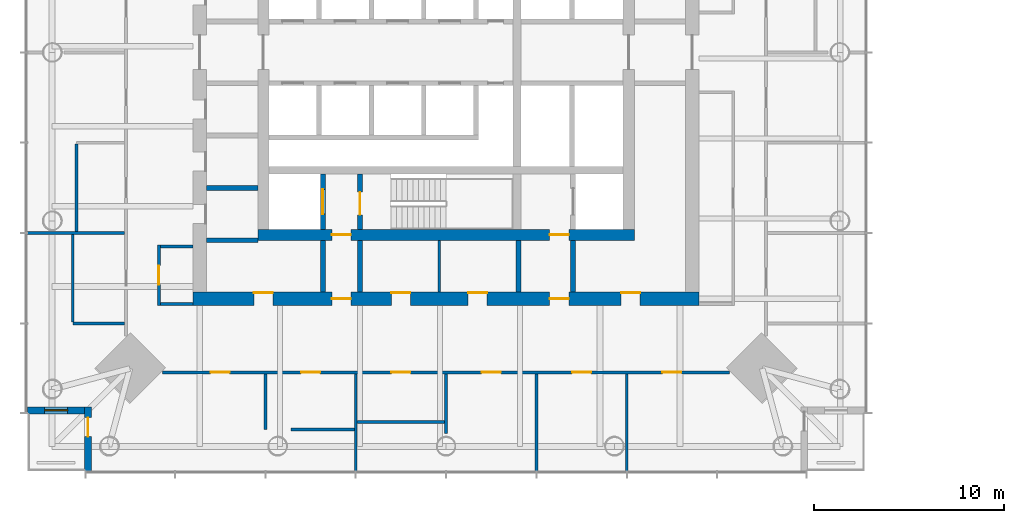
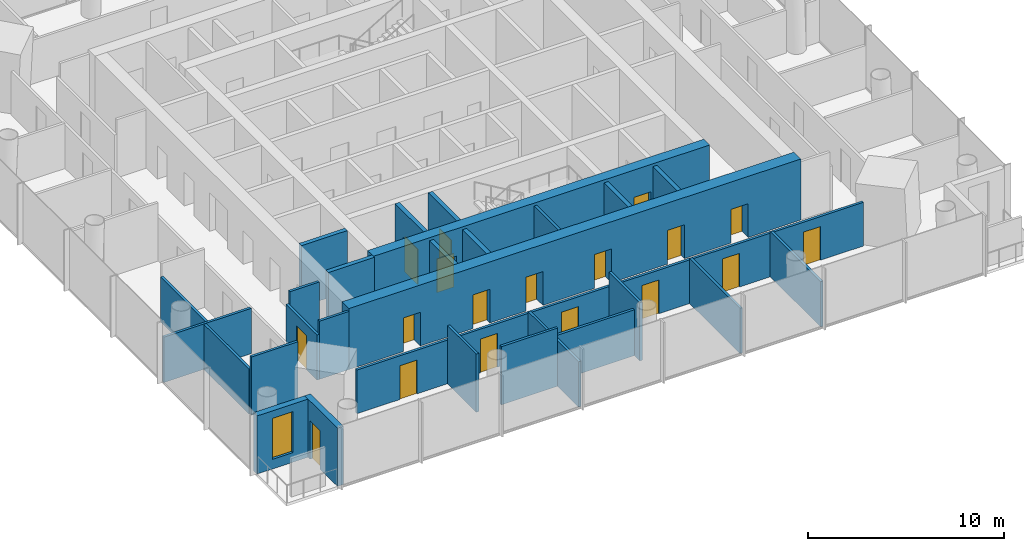
# One storey, part 8 of 18: 28 walls, 18 doors, 1 window, 19 openings.
"""IFC4 building model written with IfcOpenShell, lengths in metres."""

from ifc_helpers import new_model, si_unit, direction, frame, frame_2d, origin, place, context, subcontext, project, spatial, rectangle, extrude, material, layer, layer_set, type_object, element, fill, save


model = new_model("IFC4")

# Units and contexts
model_context = context("Model", 3, precision=1e-05, world=origin(), true_north=direction((0.0, 1.0)))
body_context = subcontext(model_context, "Body", "Model", "MODEL_VIEW")
ifc_project = project(units=[si_unit("LENGTHUNIT", "METRE"), si_unit("AREAUNIT", "SQUARE_METRE"), si_unit("VOLUMEUNIT", "CUBIC_METRE"), si_unit("PLANEANGLEUNIT", "RADIAN"), si_unit("MASSUNIT", "GRAM", prefix="KILO")], contexts=[model_context])

# Site, building, storey
site_placement = place(None, origin())
site = spatial("IfcSite", under=ifc_project, at=site_placement, CompositionType="ELEMENT")
building_placement = place(site_placement, origin())
building = spatial("IfcBuilding", under=site, at=building_placement, Name="Ostroluk Exchange", CompositionType="ELEMENT")
storey_placement = place(building_placement, frame((0.0, 0.0, 123.60009765625)))
storey = spatial("IfcBuildingStorey", under=building, at=storey_placement, Name="L31", CompositionType="ELEMENT", Elevation=123.60009765625)

# Walls
ifc_material_1 = material(Name="Concrete blockwork", Category="masonry")
ifc_layer_1 = layer(ifc_material_1, 0.14990234375)
ifc_layer_set_1 = layer_set([ifc_layer_1], Name="Blockwork plant room wall 150")
wall_type_1 = type_object("IfcWallType", Name="Blockwork plant room wall 150", PredefinedType="SOLIDWALL", material=ifc_layer_set_1)
wall_1_placement = place(storey_placement, frame((44.639892578125, 33.39990234375, 0.0), z_axis=(0.0, 0.0, 1.0), x_axis=(0.0, 1.0, 0.0)))
element("IfcWall", 1, at=wall_1_placement, inside=storey, type_object=wall_type_1, Name="Core room wall", PredefinedType="SOLIDWALL", context=body_context, shape_type="SweptSolid", body=[
    extrude(rectangle(XDim=2.7001953125, YDim=0.14990234375, at=frame_2d((1.35009765625, 0.0))), origin(), (0.0, 0.0, 1.0), 3.619873046875),
])
ifc_material_2 = material(Name="Concrete blockwork", Category="masonry")
ifc_layer_2 = layer(ifc_material_2, 0.25)
ifc_layer_set_2 = layer_set([ifc_layer_2], Name="Blockwork stair enclosure wall 250")
wall_type_2 = type_object("IfcWallType", Name="Blockwork stair enclosure wall 250", PredefinedType="SOLIDWALL", material=ifc_layer_set_2)
for number, where, z_axis, x_axis, name in (
    (2, (38.52490234375, 33.39990234375, 0.0), (0.0, 0.0, 1.0), (0.0, 1.0, 0.0), "Fire lobby enclosure wall"),
    (3, (40.47509765625, 33.39990234375, 0.0), (0.0, 0.0, 1.0), (0.0, 1.0, 0.0), "Fire lobby enclosure wall"),
    (4, (48.804931640625, 33.39990234375, 0.0), (0.0, 0.0, 1.0), (0.0, 1.0, 0.0), "Service lobby enclosure wall"),
    (5, (51.675048828125, 33.39990234375, 0.0), (0.0, 0.0, 1.0), (0.0, 1.0, 0.0), "Service lobby enclosure wall"),
):
    element("IfcWall", number, at=place(storey_placement, frame(where, z_axis=z_axis, x_axis=x_axis)), inside=storey, type_object=wall_type_2, Name=name, PredefinedType="SOLIDWALL", context=body_context, shape_type="SweptSolid", body=[
        extrude(rectangle(XDim=2.7001953125, YDim=0.25, at=frame_2d((1.35009765625, 0.0))), origin(), (0.0, 0.0, 1.0), 3.619873046875),
    ])

# Wall, opening, door
ifc_material_3 = material(Name="Concrete C40/50", Category="concrete")
ifc_layer_3 = layer(ifc_material_3, 0.25)
ifc_layer_set_3 = layer_set([ifc_layer_3], Name="Core shaft wall 250")
wall_type_3 = type_object("IfcWallType", Name="Core shaft wall 250", PredefinedType="SHEAR", material=ifc_layer_set_3)
wall_2_placement = place(storey_placement, frame((38.52490234375, 36.699951171875, 0.0), z_axis=(0.0, 0.0, 1.0), x_axis=(0.0, 1.0, 0.0)))
wall_2 = element("IfcWall", 6, at=wall_2_placement, inside=storey, type_object=wall_type_3, Name="Firefighting lift shaft wall", PredefinedType="SHEAR", context=body_context, shape_type="SweptSolid", body=[
    extrude(rectangle(XDim=2.900146484375, YDim=0.25, at=frame_2d((1.4501953125, 0.0))), origin(), (0.0, 0.0, 1.0), 3.7998046875),
])
opening_1_placement = place(wall_2_placement, frame((0.800048828125, 0.0, 0.0)))
opening_1 = element("IfcOpeningElement", 7, at=opening_1_placement, cuts=wall_2, Name="Opening LD2", PredefinedType="OPENING", context=body_context, shape_type="SweptSolid", body=[
    extrude(rectangle(XDim=1.300048828125, YDim=2.199951171875, at=frame_2d((0.64990234375, 1.10009765625))), frame((0.0, 0.135009765625, 0.0), z_axis=(0.0, -1.0, 0.0), x_axis=(1.0, 0.0, 0.0)), (0.0, 0.0, 1.0), 0.27001953125),
])
ifc_material_4 = material(Name="Stainless steel", Category="steel")
door_type_1 = type_object("IfcDoorType", Name="Lift landing door E 60 1300 x 2200", OperationType="DOUBLE_DOOR_SLIDING", PredefinedType="DOOR", material=ifc_material_4)
door_1_placement = place(opening_1_placement, origin())
door_1 = element("IfcDoor", 8, at=door_1_placement, inside=storey, type_object=door_type_1, Name="Lift FL1 landing door", OperationType="DOUBLE_DOOR_SLIDING", OverallHeight=2.199951171875, OverallWidth=1.300048828125, PredefinedType="DOOR", context=body_context, shape_type="SweptSolid", body=[
    extrude(rectangle(XDim=1.300048828125, YDim=2.199951171875, at=frame_2d((0.64990234375, 1.10009765625))), frame((0.0, 0.02490234375, 0.0), z_axis=(0.0, -1.0, 0.0), x_axis=(1.0, 0.0, 0.0)), (0.0, 0.0, 1.0), 0.050048828125),
])
fill(opening_1, door_1)

wall_3_placement = place(storey_placement, frame((40.47509765625, 36.699951171875, 0.0), z_axis=(0.0, 0.0, 1.0), x_axis=(0.0, 1.0, 0.0)))
wall_3 = element("IfcWall", 9, at=wall_3_placement, inside=storey, type_object=wall_type_3, Name="Stair shaft wall", PredefinedType="SHEAR", context=body_context, shape_type="SweptSolid", body=[
    extrude(rectangle(XDim=2.900146484375, YDim=0.25, at=frame_2d((1.4501953125, 0.0))), origin(), (0.0, 0.0, 1.0), 3.7998046875),
])
opening_2_placement = place(wall_3_placement, frame((0.75, 0.0, 0.0)))
opening_2 = element("IfcOpeningElement", 10, at=opening_2_placement, cuts=wall_3, Name="Opening FD60S", PredefinedType="OPENING", context=body_context, shape_type="SweptSolid", body=[
    extrude(rectangle(XDim=1.199951171875, YDim=2.10009765625, at=frame_2d((0.60009765625, 1.050048828125))), frame((0.0, 0.135009765625, 0.0), z_axis=(0.0, -1.0, 0.0), x_axis=(1.0, 0.0, 0.0)), (0.0, 0.0, 1.0), 0.27001953125),
])
ifc_material_5 = material(Name="Steel", Category="steel")
door_type_2 = type_object("IfcDoorType", Name="Stair door EI 60 1200 x 2100", OperationType="SINGLE_SWING_LEFT", PredefinedType="DOOR", material=ifc_material_5)
door_2_placement = place(opening_2_placement, origin())
door_2 = element("IfcDoor", 11, at=door_2_placement, inside=storey, type_object=door_type_2, Name="Stair T1-S1 door", OperationType="SINGLE_SWING_LEFT", OverallHeight=2.10009765625, OverallWidth=1.199951171875, PredefinedType="DOOR", context=body_context, shape_type="SweptSolid", body=[
    extrude(rectangle(XDim=1.199951171875, YDim=2.10009765625, at=frame_2d((0.60009765625, 1.050048828125))), frame((0.0, 0.02490234375, 0.0), z_axis=(0.0, -1.0, 0.0), x_axis=(1.0, 0.0, 0.0)), (0.0, 0.0, 1.0), 0.050048828125),
])
fill(opening_2, door_2)

# Walls
for number, where, z_axis, x_axis, name in (
    (12, (32.39990234375, 36.125, 0.0), (0.0, 0.0, 1.0), (1.0, 0.0, 0.0), "Lift shaft wall"),
    (13, (32.39990234375, 38.875, 0.0), (0.0, 0.0, 1.0), (1.0, 0.0, 0.0), "Lift shaft wall"),
):
    element("IfcWall", number, at=place(storey_placement, frame(where, z_axis=z_axis, x_axis=x_axis)), inside=storey, type_object=wall_type_3, Name=name, PredefinedType="SHEAR", context=body_context, shape_type="SweptSolid", body=[
        extrude(rectangle(XDim=2.7001953125, YDim=0.25, at=frame_2d((1.35009765625, 0.0))), origin(), (0.0, 0.0, 1.0), 3.7998046875),
    ])

# Wall, openings, doors
ifc_material_6 = material(Name="Concrete C50/60", Category="concrete")
ifc_layer_4 = layer(ifc_material_6, 0.60009765625)
ifc_layer_set_4 = layer_set([ifc_layer_4], Name="Core wall 600 C50/60")
wall_type_4 = type_object("IfcWallType", Name="Core wall 600 C50/60", PredefinedType="SHEAR", material=ifc_layer_set_4)
wall_4_placement = place(storey_placement, frame((35.10009765625, 36.39990234375, 0.0), z_axis=(0.0, 0.0, 1.0), x_axis=(1.0, 0.0, 0.0)))
wall_4 = element("IfcWall", 14, at=wall_4_placement, inside=storey, type_object=wall_type_4, Name="T1 core wall S", PredefinedType="SHEAR", context=body_context, shape_type="SweptSolid", body=[
    extrude(rectangle(XDim=19.7998046875, YDim=0.60009765625, at=frame_2d((9.89990234375, 0.0))), origin(), (0.0, 0.0, 1.0), 3.7998046875),
])
opening_3_placement = place(wall_4_placement, frame((3.89990234375, 0.0, 0.0)))
opening_3 = element("IfcOpeningElement", 15, at=opening_3_placement, cuts=wall_4, Name="Opening FD60", PredefinedType="OPENING", context=body_context, shape_type="SweptSolid", body=[
    extrude(rectangle(XDim=1.0, YDim=2.10009765625, at=frame_2d((0.5, 1.050048828125))), frame((0.0, 0.31005859375, 0.0), z_axis=(0.0, -1.0, 0.0), x_axis=(1.0, 0.0, 0.0)), (0.0, 0.0, 1.0), 0.6201171875),
])
opening_4_placement = place(wall_4_placement, frame((15.35009765625, 0.0, 0.0)))
opening_4 = element("IfcOpeningElement", 16, at=opening_4_placement, cuts=wall_4, Name="Opening FD60", PredefinedType="OPENING", context=body_context, shape_type="SweptSolid", body=[
    extrude(rectangle(XDim=1.0, YDim=2.10009765625, at=frame_2d((0.5, 1.050048828125))), frame((0.0, 0.31005859375, 0.0), z_axis=(0.0, -1.0, 0.0), x_axis=(1.0, 0.0, 0.0)), (0.0, 0.0, 1.0), 0.6201171875),
])
ifc_material_7 = material(Name="Steel", Category="steel")
door_type_3 = type_object("IfcDoorType", Name="Fire door EI 60 1000 x 2100", OperationType="SINGLE_SWING_LEFT", PredefinedType="DOOR", material=ifc_material_7)
door_3_placement = place(opening_3_placement, origin())
door_3 = element("IfcDoor", 17, at=door_3_placement, inside=storey, type_object=door_type_3, Name="Firefighting lobby door", OperationType="SINGLE_SWING_LEFT", OverallHeight=2.10009765625, OverallWidth=1.0, PredefinedType="DOOR", context=body_context, shape_type="SweptSolid", body=[
    extrude(rectangle(XDim=1.0, YDim=2.10009765625, at=frame_2d((0.5, 1.050048828125))), frame((0.0, 0.02490234375, 0.0), z_axis=(0.0, -1.0, 0.0), x_axis=(1.0, 0.0, 0.0)), (0.0, 0.0, 1.0), 0.050048828125),
])
fill(opening_3, door_3)
door_4_placement = place(opening_4_placement, origin())
door_4 = element("IfcDoor", 18, at=door_4_placement, inside=storey, type_object=door_type_3, Name="Service lobby door", OperationType="SINGLE_SWING_RIGHT", OverallHeight=2.10009765625, OverallWidth=1.0, PredefinedType="DOOR", context=body_context, shape_type="SweptSolid", body=[
    extrude(rectangle(XDim=1.0, YDim=2.10009765625, at=frame_2d((0.5, 1.050048828125))), frame((0.0, 0.02490234375, 0.0), z_axis=(0.0, -1.0, 0.0), x_axis=(1.0, 0.0, 0.0)), (0.0, 0.0, 1.0), 0.050048828125),
])
fill(opening_4, door_4)

ifc_material_8 = material(Name="Concrete C50/60", Category="concrete")
ifc_layer_5 = layer(ifc_material_8, 0.699951171875)
ifc_layer_set_5 = layer_set([ifc_layer_5], Name="Core wall 700 C50/60")
wall_type_5 = type_object("IfcWallType", Name="Core wall 700 C50/60", PredefinedType="SHEAR", material=ifc_layer_set_5)
wall_5_placement = place(storey_placement, frame((31.699951171875, 33.050048828125, 0.0), z_axis=(0.0, 0.0, 1.0), x_axis=(1.0, 0.0, 0.0)))
wall_5 = element("IfcWall", 19, at=wall_5_placement, inside=storey, type_object=wall_type_5, Name="T1 core wall RS", PredefinedType="SHEAR", context=body_context, shape_type="SweptSolid", body=[
    extrude(rectangle(XDim=26.60009765625, YDim=0.699951171875, at=frame_2d((13.300048828125, 0.0))), origin(), (0.0, 0.0, 1.0), 3.7998046875),
])
opening_5_placement = place(wall_5_placement, frame((7.300048828125, 0.0, 0.0)))
opening_5 = element("IfcOpeningElement", 20, at=opening_5_placement, cuts=wall_5, Name="Opening FD60", PredefinedType="OPENING", context=body_context, shape_type="SweptSolid", body=[
    extrude(rectangle(XDim=1.0, YDim=2.10009765625, at=frame_2d((0.5, 1.050048828125))), frame((0.0, 0.35986328125, 0.0), z_axis=(0.0, -1.0, 0.0), x_axis=(1.0, 0.0, 0.0)), (0.0, 0.0, 1.0), 0.719970703125),
])
opening_6_placement = place(wall_5_placement, frame((18.75, 0.0, 0.0)))
opening_6 = element("IfcOpeningElement", 21, at=opening_6_placement, cuts=wall_5, Name="Opening FD60", PredefinedType="OPENING", context=body_context, shape_type="SweptSolid", body=[
    extrude(rectangle(XDim=1.0, YDim=2.10009765625, at=frame_2d((0.5, 1.050048828125))), frame((0.0, 0.35986328125, 0.0), z_axis=(0.0, -1.0, 0.0), x_axis=(1.0, 0.0, 0.0)), (0.0, 0.0, 1.0), 0.719970703125),
])
opening_7_placement = place(wall_5_placement, frame((3.199951171875, 0.0, 0.0)))
opening_7 = element("IfcOpeningElement", 22, at=opening_7_placement, cuts=wall_5, Name="Opening FD60", PredefinedType="OPENING", context=body_context, shape_type="SweptSolid", body=[
    extrude(rectangle(XDim=1.0, YDim=2.10009765625, at=frame_2d((0.5, 1.050048828125))), frame((0.0, 0.35986328125, 0.0), z_axis=(0.0, -1.0, 0.0), x_axis=(1.0, 0.0, 0.0)), (0.0, 0.0, 1.0), 0.719970703125),
])
opening_8_placement = place(wall_5_placement, frame((10.419921875, 0.0, 0.0)))
opening_8 = element("IfcOpeningElement", 23, at=opening_8_placement, cuts=wall_5, Name="Opening FD60", PredefinedType="OPENING", context=body_context, shape_type="SweptSolid", body=[
    extrude(rectangle(XDim=1.0, YDim=2.10009765625, at=frame_2d((0.5, 1.050048828125))), frame((0.0, 0.35986328125, 0.0), z_axis=(0.0, -1.0, 0.0), x_axis=(1.0, 0.0, 0.0)), (0.0, 0.0, 1.0), 0.719970703125),
])
opening_9_placement = place(wall_5_placement, frame((14.4599609375, 0.0, 0.0)))
opening_9 = element("IfcOpeningElement", 24, at=opening_9_placement, cuts=wall_5, Name="Opening FD60", PredefinedType="OPENING", context=body_context, shape_type="SweptSolid", body=[
    extrude(rectangle(XDim=1.0, YDim=2.10009765625, at=frame_2d((0.5, 1.050048828125))), frame((0.0, 0.35986328125, 0.0), z_axis=(0.0, -1.0, 0.0), x_axis=(1.0, 0.0, 0.0)), (0.0, 0.0, 1.0), 0.719970703125),
])
opening_10_placement = place(wall_5_placement, frame((22.5, 0.0, 0.0)))
opening_10 = element("IfcOpeningElement", 25, at=opening_10_placement, cuts=wall_5, Name="Opening FD60", PredefinedType="OPENING", context=body_context, shape_type="SweptSolid", body=[
    extrude(rectangle(XDim=1.0, YDim=2.10009765625, at=frame_2d((0.5, 1.050048828125))), frame((0.0, 0.35986328125, 0.0), z_axis=(0.0, -1.0, 0.0), x_axis=(1.0, 0.0, 0.0)), (0.0, 0.0, 1.0), 0.719970703125),
])
door_5_placement = place(opening_5_placement, origin())
door_5 = element("IfcDoor", 26, at=door_5_placement, inside=storey, type_object=door_type_3, Name="Firefighting lobby door", OperationType="SINGLE_SWING_LEFT", OverallHeight=2.10009765625, OverallWidth=1.0, PredefinedType="DOOR", context=body_context, shape_type="SweptSolid", body=[
    extrude(rectangle(XDim=1.0, YDim=2.10009765625, at=frame_2d((0.5, 1.050048828125))), frame((0.0, 0.02490234375, 0.0), z_axis=(0.0, -1.0, 0.0), x_axis=(1.0, 0.0, 0.0)), (0.0, 0.0, 1.0), 0.050048828125),
])
fill(opening_5, door_5)
door_6_placement = place(opening_6_placement, origin())
door_6 = element("IfcDoor", 27, at=door_6_placement, inside=storey, type_object=door_type_3, Name="Service lobby door", OperationType="SINGLE_SWING_RIGHT", OverallHeight=2.10009765625, OverallWidth=1.0, PredefinedType="DOOR", context=body_context, shape_type="SweptSolid", body=[
    extrude(rectangle(XDim=1.0, YDim=2.10009765625, at=frame_2d((0.5, 1.050048828125))), frame((0.0, 0.02490234375, 0.0), z_axis=(0.0, -1.0, 0.0), x_axis=(1.0, 0.0, 0.0)), (0.0, 0.0, 1.0), 0.050048828125),
])
fill(opening_6, door_6)
door_7_placement = place(opening_7_placement, origin())
door_7 = element("IfcDoor", 28, at=door_7_placement, inside=storey, type_object=door_type_3, Name="Archive door", OperationType="SINGLE_SWING_LEFT", OverallHeight=2.10009765625, OverallWidth=1.0, PredefinedType="DOOR", context=body_context, shape_type="SweptSolid", body=[
    extrude(rectangle(XDim=1.0, YDim=2.10009765625, at=frame_2d((0.5, 1.050048828125))), frame((0.0, 0.33984375, 0.0), z_axis=(0.0, -1.0, 0.0), x_axis=(1.0, 0.0, 0.0)), (0.0, 0.0, 1.0), 0.050048828125),
])
fill(opening_7, door_7)
door_8_placement = place(opening_8_placement, origin())
door_8 = element("IfcDoor", 29, at=door_8_placement, inside=storey, type_object=door_type_3, Name="Tea point door", OperationType="SINGLE_SWING_LEFT", OverallHeight=2.10009765625, OverallWidth=1.0, PredefinedType="DOOR", context=body_context, shape_type="SweptSolid", body=[
    extrude(rectangle(XDim=1.0, YDim=2.10009765625, at=frame_2d((0.5, 1.050048828125))), frame((0.0, 0.33984375, 0.0), z_axis=(0.0, -1.0, 0.0), x_axis=(1.0, 0.0, 0.0)), (0.0, 0.0, 1.0), 0.050048828125),
])
fill(opening_8, door_8)
door_9_placement = place(opening_9_placement, origin())
door_9 = element("IfcDoor", 30, at=door_9_placement, inside=storey, type_object=door_type_3, Name="Print and post room door", OperationType="SINGLE_SWING_RIGHT", OverallHeight=2.10009765625, OverallWidth=1.0, PredefinedType="DOOR", context=body_context, shape_type="SweptSolid", body=[
    extrude(rectangle(XDim=1.0, YDim=2.10009765625, at=frame_2d((0.5, 1.050048828125))), frame((0.0, 0.33984375, 0.0), z_axis=(0.0, -1.0, 0.0), x_axis=(1.0, 0.0, 0.0)), (0.0, 0.0, 1.0), 0.050048828125),
])
fill(opening_9, door_9)
door_10_placement = place(opening_10_placement, origin())
door_10 = element("IfcDoor", 31, at=door_10_placement, inside=storey, type_object=door_type_3, Name="Tenant IT room door", OperationType="SINGLE_SWING_RIGHT", OverallHeight=2.10009765625, OverallWidth=1.0, PredefinedType="DOOR", context=body_context, shape_type="SweptSolid", body=[
    extrude(rectangle(XDim=1.0, YDim=2.10009765625, at=frame_2d((0.5, 1.050048828125))), frame((0.0, 0.33984375, 0.0), z_axis=(0.0, -1.0, 0.0), x_axis=(1.0, 0.0, 0.0)), (0.0, 0.0, 1.0), 0.050048828125),
])
fill(opening_10, door_10)

# Wall, opening, door
ifc_material_9 = material(Name="Limestone", Category="masonry")
ifc_layer_6 = layer(ifc_material_9, 0.35009765625)
ifc_layer_set_6 = layer_set([ifc_layer_6], Name="Limestone facade wall 350")
wall_type_6 = type_object("IfcWallType", Name="Limestone facade wall 350", PredefinedType="SOLIDWALL", material=ifc_layer_set_6)
wall_6_placement = place(storey_placement, frame((26.175048828125, 24.0, 0.0), z_axis=(0.0, 0.0, 1.0), x_axis=(0.0, 1.0, 0.0)))
wall_6 = element("IfcWall", 32, at=wall_6_placement, inside=storey, type_object=wall_type_6, Name="Office tower SW corner wall L31 a", PredefinedType="SOLIDWALL", context=body_context, shape_type="SweptSolid", body=[
    extrude(rectangle(XDim=3.35009765625, YDim=0.35009765625, at=frame_2d((1.675048828125, 0.0))), origin(), (0.0, 0.0, 1.0), 3.619873046875),
])
opening_11_placement = place(wall_6_placement, frame((1.800048828125, 0.0, 0.0)))
opening_11 = element("IfcOpeningElement", 33, at=opening_11_placement, cuts=wall_6, Name="Opening D-B1", PredefinedType="OPENING", context=body_context, shape_type="SweptSolid", body=[
    extrude(rectangle(XDim=1.0, YDim=2.39990234375, at=frame_2d((0.5, 1.199951171875))), frame((0.0, 0.18505859375, 0.0), z_axis=(0.0, -1.0, 0.0), x_axis=(1.0, 0.0, 0.0)), (0.0, 0.0, 1.0), 0.3701171875),
])
ifc_material_10 = material(Name="Bronze framed glazed door", Category="aluminium")
door_type_4 = type_object("IfcDoorType", Name="Balcony door 1000 x 2400", OperationType="SINGLE_SWING_LEFT", PredefinedType="DOOR", material=ifc_material_10)
door_11_placement = place(opening_11_placement, origin())
door_11 = element("IfcDoor", 34, at=door_11_placement, inside=storey, type_object=door_type_4, Name="Office tower SW balcony door L31", OperationType="SINGLE_SWING_RIGHT", OverallHeight=2.39990234375, OverallWidth=1.0, PredefinedType="DOOR", context=body_context, shape_type="SweptSolid", body=[
    extrude(rectangle(XDim=1.0, YDim=2.39990234375, at=frame_2d((0.5, 1.199951171875))), frame((0.0, 0.02490234375, 0.0), z_axis=(0.0, -1.0, 0.0), x_axis=(1.0, 0.0, 0.0)), (0.0, 0.0, 1.0), 0.050048828125),
])
fill(opening_11, door_11)

# Wall, opening, window
wall_7_placement = place(storey_placement, frame((26.0, 27.175048828125, 0.0), z_axis=(0.0, 0.0, 1.0), x_axis=(-1.0, 0.0, 0.0)))
wall_7 = element("IfcWall", 35, at=wall_7_placement, inside=storey, type_object=wall_type_6, Name="Office tower SW corner wall L31 b", PredefinedType="SOLIDWALL", context=body_context, shape_type="SweptSolid", body=[
    extrude(rectangle(XDim=3.0, YDim=0.35009765625, at=frame_2d((1.5, 0.0))), origin(), (0.0, 0.0, 1.0), 3.619873046875),
])
opening_12_placement = place(wall_7_placement, frame((0.89990234375, 0.0, 0.60009765625)))
opening_12 = element("IfcOpeningElement", 36, at=opening_12_placement, cuts=wall_7, Name="Opening WN-L1", PredefinedType="OPENING", context=body_context, shape_type="SweptSolid", body=[
    extrude(rectangle(XDim=1.199951171875, YDim=2.550048828125, at=frame_2d((0.60009765625, 1.27490234375))), frame((0.0, 0.18505859375, 0.0), z_axis=(0.0, -1.0, 0.0), x_axis=(1.0, 0.0, 0.0)), (0.0, 0.0, 1.0), 0.3701171875),
])
ifc_material_11 = material(Name="Laminated clear glass", Category="glass")
window_type = type_object("IfcWindowType", Name="Lancet window 1200 x 2550", PartitioningType="SINGLE_PANEL", PredefinedType="WINDOW", material=ifc_material_11)
window_placement = place(opening_12_placement, origin())
window = element("IfcWindow", 37, at=window_placement, inside=storey, type_object=window_type, Name="Office tower SW lancet window L31", OverallHeight=2.550048828125, OverallWidth=1.199951171875, PartitioningType="SINGLE_PANEL", PredefinedType="WINDOW", context=body_context, shape_type="SweptSolid", body=[
    extrude(rectangle(XDim=1.199951171875, YDim=2.550048828125, at=frame_2d((0.60009765625, 1.27490234375))), frame((0.0, 0.030029296875, 0.0), z_axis=(0.0, -1.0, 0.0), x_axis=(1.0, 0.0, 0.0)), (0.0, 0.0, 1.0), 0.06005859375),
])
fill(opening_12, window)

# Wall, opening, door
ifc_material_12 = material(Name="Gypsum plasterboard partition", Category="gypsum")
ifc_layer_7 = layer(ifc_material_12, 0.14990234375)
ifc_layer_set_7 = layer_set([ifc_layer_7], Name="Plasterboard partition 150")
wall_type_7 = type_object("IfcWallType", Name="Plasterboard partition 150", PredefinedType="PARTITIONING", material=ifc_layer_set_7)
wall_8_placement = place(storey_placement, frame((29.89990234375, 35.875, 0.0), z_axis=(0.0, 0.0, 1.0), x_axis=(0.0, -1.0, 0.0)))
wall_8 = element("IfcWall", 38, at=wall_8_placement, inside=storey, type_object=wall_type_7, Name="Partition", PredefinedType="PARTITIONING", context=body_context, shape_type="SweptSolid", body=[
    extrude(rectangle(XDim=3.175048828125, YDim=0.14990234375, at=frame_2d((1.58740234375, 0.0))), origin(), (0.0, 0.0, 1.0), 2.805908203125),
])
opening_13_placement = place(wall_8_placement, frame((1.08740234375, 0.0, 0.0)))
opening_13 = element("IfcOpeningElement", 39, at=opening_13_placement, cuts=wall_8, Name="Opening D-03", PredefinedType="OPENING", context=body_context, shape_type="SweptSolid", body=[
    extrude(rectangle(XDim=1.0, YDim=2.10009765625, at=frame_2d((0.5, 1.050048828125))), frame((0.0, 0.0849609375, 0.0), z_axis=(0.0, -1.0, 0.0), x_axis=(1.0, 0.0, 0.0)), (0.0, 0.0, 1.0), 0.169921875),
])
ifc_material_13 = material(Name="Timber", Category="wood")
door_type_5 = type_object("IfcDoorType", Name="Internal door 1000 x 2100", OperationType="SINGLE_SWING_LEFT", PredefinedType="DOOR", material=ifc_material_13)
door_12_placement = place(opening_13_placement, origin())
door_12 = element("IfcDoor", 40, at=door_12_placement, inside=storey, type_object=door_type_5, Name="Meeting room door", OperationType="SINGLE_SWING_RIGHT", OverallHeight=2.10009765625, OverallWidth=1.0, PredefinedType="DOOR", context=body_context, shape_type="SweptSolid", body=[
    extrude(rectangle(XDim=1.0, YDim=2.10009765625, at=frame_2d((0.5, 1.050048828125))), frame((0.0, 0.02490234375, 0.0), z_axis=(0.0, -1.0, 0.0), x_axis=(1.0, 0.0, 0.0)), (0.0, 0.0, 1.0), 0.050048828125),
])
fill(opening_13, door_12)

# Walls
for number, where, z_axis, x_axis, name in (
    (41, (31.699951171875, 35.800048828125, 0.0), (0.0, 0.0, 1.0), (-1.0, 0.0, 0.0), "Partition"),
    (42, (31.699951171875, 32.77490234375, 0.0), (0.0, 0.0, 1.0), (-1.0, 0.0, 0.0), "Partition"),
):
    element("IfcWall", number, at=place(storey_placement, frame(where, z_axis=z_axis, x_axis=x_axis)), inside=storey, type_object=wall_type_7, Name=name, PredefinedType="PARTITIONING", context=body_context, shape_type="SweptSolid", body=[
        extrude(rectangle(XDim=1.724853515625, YDim=0.14990234375, at=frame_2d((0.8623046875, 0.0))), origin(), (0.0, 0.0, 1.0), 3.619873046875),
    ])
wall_9_placement = place(storey_placement, frame((28.10009765625, 36.5, 0.0), z_axis=(0.0, 0.0, 1.0), x_axis=(-1.0, 0.0, 0.0)))
element("IfcWall", 43, at=wall_9_placement, inside=storey, type_object=wall_type_7, Name="Partition", PredefinedType="PARTITIONING", context=body_context, shape_type="SweptSolid", body=[
    extrude(rectangle(XDim=5.14013671875, YDim=0.14990234375, at=frame_2d((2.570068359375, 0.0))), origin(), (0.0, 0.0, 1.0), 2.81982421875),
])
wall_10_placement = place(storey_placement, frame((28.10009765625, 31.75, 0.0), z_axis=(0.0, 0.0, 1.0), x_axis=(-1.0, 0.0, 0.0)))
element("IfcWall", 44, at=wall_10_placement, inside=storey, type_object=wall_type_7, Name="Partition", PredefinedType="PARTITIONING", context=body_context, shape_type="SweptSolid", body=[
    extrude(rectangle(XDim=2.72509765625, YDim=0.14990234375, at=frame_2d((1.362548828125, 0.0))), origin(), (0.0, 0.0, 1.0), 3.619873046875),
])
wall_11_placement = place(storey_placement, frame((36.85888671875, 26.175048828125, 0.0), z_axis=(0.0, 0.0, 1.0), x_axis=(1.0, 0.0, 0.0)))
element("IfcWall", 45, at=wall_11_placement, inside=storey, type_object=wall_type_7, Name="Partition", PredefinedType="PARTITIONING", context=body_context, shape_type="SweptSolid", body=[
    extrude(rectangle(XDim=3.316162109375, YDim=0.14990234375, at=frame_2d((1.658203125, 0.0))), origin(), (0.0, 0.0, 1.0), 3.619873046875),
])
wall_12_placement = place(storey_placement, frame((40.324951171875, 26.574951171875, 0.0), z_axis=(0.0, 0.0, 1.0), x_axis=(1.0, 0.0, 0.0)))
element("IfcWall", 46, at=wall_12_placement, inside=storey, type_object=wall_type_7, Name="Partition", PredefinedType="PARTITIONING", context=body_context, shape_type="SweptSolid", body=[
    extrude(rectangle(XDim=4.60009765625, YDim=0.14990234375, at=frame_2d((2.300048828125, 0.0))), origin(), (0.0, 0.0, 1.0), 2.85791015625),
])

# Wall, openings, doors
wall_13_placement = place(storey_placement, frame((30.08837890625, 29.175048828125, 0.0), z_axis=(0.0, 0.0, 1.0), x_axis=(1.0, 0.0, 0.0)))
wall_13 = element("IfcWall", 47, at=wall_13_placement, inside=storey, type_object=wall_type_7, Name="Partition", PredefinedType="PARTITIONING", context=body_context, shape_type="SweptSolid", body=[
    extrude(rectangle(XDim=29.8232421875, YDim=0.14990234375, at=frame_2d((14.91162109375, 0.0))), origin(), (0.0, 0.0, 1.0), 2.719970703125),
])
opening_14_placement = place(wall_13_placement, frame((2.53662109375, 0.0, 0.0)))
opening_14 = element("IfcOpeningElement", 48, at=opening_14_placement, cuts=wall_13, Name="Opening D-03", PredefinedType="OPENING", context=body_context, shape_type="SweptSolid", body=[
    extrude(rectangle(XDim=1.0, YDim=2.10009765625, at=frame_2d((0.5, 1.050048828125))), frame((0.0, 0.0849609375, 0.0), z_axis=(0.0, -1.0, 0.0), x_axis=(1.0, 0.0, 0.0)), (0.0, 0.0, 1.0), 0.169921875),
])
opening_15_placement = place(wall_13_placement, frame((7.28662109375, 0.0, 0.0)))
opening_15 = element("IfcOpeningElement", 49, at=opening_15_placement, cuts=wall_13, Name="Opening D-03", PredefinedType="OPENING", context=body_context, shape_type="SweptSolid", body=[
    extrude(rectangle(XDim=1.0, YDim=2.10009765625, at=frame_2d((0.5, 1.050048828125))), frame((0.0, 0.0849609375, 0.0), z_axis=(0.0, -1.0, 0.0), x_axis=(1.0, 0.0, 0.0)), (0.0, 0.0, 1.0), 0.169921875),
])
opening_16_placement = place(wall_13_placement, frame((12.03662109375, 0.0, 0.0)))
opening_16 = element("IfcOpeningElement", 50, at=opening_16_placement, cuts=wall_13, Name="Opening D-03", PredefinedType="OPENING", context=body_context, shape_type="SweptSolid", body=[
    extrude(rectangle(XDim=1.0, YDim=2.10009765625, at=frame_2d((0.5, 1.050048828125))), frame((0.0, 0.0849609375, 0.0), z_axis=(0.0, -1.0, 0.0), x_axis=(1.0, 0.0, 0.0)), (0.0, 0.0, 1.0), 0.169921875),
])
opening_17_placement = place(wall_13_placement, frame((16.78662109375, 0.0, 0.0)))
opening_17 = element("IfcOpeningElement", 51, at=opening_17_placement, cuts=wall_13, Name="Opening D-03", PredefinedType="OPENING", context=body_context, shape_type="SweptSolid", body=[
    extrude(rectangle(XDim=1.0, YDim=2.10009765625, at=frame_2d((0.5, 1.050048828125))), frame((0.0, 0.0849609375, 0.0), z_axis=(0.0, -1.0, 0.0), x_axis=(1.0, 0.0, 0.0)), (0.0, 0.0, 1.0), 0.169921875),
])
opening_18_placement = place(wall_13_placement, frame((21.53662109375, 0.0, 0.0)))
opening_18 = element("IfcOpeningElement", 52, at=opening_18_placement, cuts=wall_13, Name="Opening D-03", PredefinedType="OPENING", context=body_context, shape_type="SweptSolid", body=[
    extrude(rectangle(XDim=1.0, YDim=2.10009765625, at=frame_2d((0.5, 1.050048828125))), frame((0.0, 0.0849609375, 0.0), z_axis=(0.0, -1.0, 0.0), x_axis=(1.0, 0.0, 0.0)), (0.0, 0.0, 1.0), 0.169921875),
])
opening_19_placement = place(wall_13_placement, frame((26.28662109375, 0.0, 0.0)))
opening_19 = element("IfcOpeningElement", 53, at=opening_19_placement, cuts=wall_13, Name="Opening D-03", PredefinedType="OPENING", context=body_context, shape_type="SweptSolid", body=[
    extrude(rectangle(XDim=1.0, YDim=2.10009765625, at=frame_2d((0.5, 1.050048828125))), frame((0.0, 0.0849609375, 0.0), z_axis=(0.0, -1.0, 0.0), x_axis=(1.0, 0.0, 0.0)), (0.0, 0.0, 1.0), 0.169921875),
])
door_13_placement = place(opening_14_placement, origin())
door_13 = element("IfcDoor", 54, at=door_13_placement, inside=storey, type_object=door_type_5, Name="Office suite door", OperationType="SINGLE_SWING_LEFT", OverallHeight=2.10009765625, OverallWidth=1.0, PredefinedType="DOOR", context=body_context, shape_type="SweptSolid", body=[
    extrude(rectangle(XDim=1.0, YDim=2.10009765625, at=frame_2d((0.5, 1.050048828125))), frame((0.0, 0.02490234375, 0.0), z_axis=(0.0, -1.0, 0.0), x_axis=(1.0, 0.0, 0.0)), (0.0, 0.0, 1.0), 0.050048828125),
])
fill(opening_14, door_13)
door_14_placement = place(opening_15_placement, origin())
door_14 = element("IfcDoor", 55, at=door_14_placement, inside=storey, type_object=door_type_5, Name="Focus room door", OperationType="SINGLE_SWING_LEFT", OverallHeight=2.10009765625, OverallWidth=1.0, PredefinedType="DOOR", context=body_context, shape_type="SweptSolid", body=[
    extrude(rectangle(XDim=1.0, YDim=2.10009765625, at=frame_2d((0.5, 1.050048828125))), frame((0.0, 0.02490234375, 0.0), z_axis=(0.0, -1.0, 0.0), x_axis=(1.0, 0.0, 0.0)), (0.0, 0.0, 1.0), 0.050048828125),
])
fill(opening_15, door_14)
door_15_placement = place(opening_16_placement, origin())
door_15 = element("IfcDoor", 56, at=door_15_placement, inside=storey, type_object=door_type_5, Name="Pantry door", OperationType="SINGLE_SWING_LEFT", OverallHeight=2.10009765625, OverallWidth=1.0, PredefinedType="DOOR", context=body_context, shape_type="SweptSolid", body=[
    extrude(rectangle(XDim=1.0, YDim=2.10009765625, at=frame_2d((0.5, 1.050048828125))), frame((0.0, 0.02490234375, 0.0), z_axis=(0.0, -1.0, 0.0), x_axis=(1.0, 0.0, 0.0)), (0.0, 0.0, 1.0), 0.050048828125),
])
fill(opening_16, door_15)
door_16_placement = place(opening_17_placement, origin())
door_16 = element("IfcDoor", 57, at=door_16_placement, inside=storey, type_object=door_type_5, Name="Office door", OperationType="SINGLE_SWING_RIGHT", OverallHeight=2.10009765625, OverallWidth=1.0, PredefinedType="DOOR", context=body_context, shape_type="SweptSolid", body=[
    extrude(rectangle(XDim=1.0, YDim=2.10009765625, at=frame_2d((0.5, 1.050048828125))), frame((0.0, 0.02490234375, 0.0), z_axis=(0.0, -1.0, 0.0), x_axis=(1.0, 0.0, 0.0)), (0.0, 0.0, 1.0), 0.050048828125),
])
fill(opening_17, door_16)
door_17_placement = place(opening_18_placement, origin())
door_17 = element("IfcDoor", 58, at=door_17_placement, inside=storey, type_object=door_type_5, Name="Office door", OperationType="SINGLE_SWING_RIGHT", OverallHeight=2.10009765625, OverallWidth=1.0, PredefinedType="DOOR", context=body_context, shape_type="SweptSolid", body=[
    extrude(rectangle(XDim=1.0, YDim=2.10009765625, at=frame_2d((0.5, 1.050048828125))), frame((0.0, 0.02490234375, 0.0), z_axis=(0.0, -1.0, 0.0), x_axis=(1.0, 0.0, 0.0)), (0.0, 0.0, 1.0), 0.050048828125),
])
fill(opening_18, door_17)
door_18_placement = place(opening_19_placement, origin())
door_18 = element("IfcDoor", 59, at=door_18_placement, inside=storey, type_object=door_type_5, Name="Office door", OperationType="SINGLE_SWING_RIGHT", OverallHeight=2.10009765625, OverallWidth=1.0, PredefinedType="DOOR", context=body_context, shape_type="SweptSolid", body=[
    extrude(rectangle(XDim=1.0, YDim=2.10009765625, at=frame_2d((0.5, 1.050048828125))), frame((0.0, 0.02490234375, 0.0), z_axis=(0.0, -1.0, 0.0), x_axis=(1.0, 0.0, 0.0)), (0.0, 0.0, 1.0), 0.050048828125),
])
fill(opening_19, door_18)

# Walls
wall_14_placement = place(storey_placement, frame((35.5, 29.10009765625, 0.0), z_axis=(0.0, 0.0, 1.0), x_axis=(0.0, -1.0, 0.0)))
element("IfcWall", 60, at=wall_14_placement, inside=storey, type_object=wall_type_7, Name="Partition", PredefinedType="PARTITIONING", context=body_context, shape_type="SweptSolid", body=[
    extrude(rectangle(XDim=2.925048828125, YDim=0.14990234375, at=frame_2d((1.46240234375, 0.0))), origin(), (0.0, 0.0, 1.0), 3.619873046875),
])
wall_15_placement = place(storey_placement, frame((40.25, 29.10009765625, 0.0), z_axis=(0.0, 0.0, 1.0), x_axis=(0.0, -1.0, 0.0)))
element("IfcWall", 61, at=wall_15_placement, inside=storey, type_object=wall_type_7, Name="Partition", PredefinedType="PARTITIONING", context=body_context, shape_type="SweptSolid", body=[
    extrude(rectangle(XDim=5.14013671875, YDim=0.14990234375, at=frame_2d((2.570068359375, 0.0))), origin(), (0.0, 0.0, 1.0), 2.81982421875),
])
wall_16_placement = place(storey_placement, frame((45.0, 29.10009765625, 0.0), z_axis=(0.0, 0.0, 1.0), x_axis=(0.0, -1.0, 0.0)))
element("IfcWall", 62, at=wall_16_placement, inside=storey, type_object=wall_type_7, Name="Partition", PredefinedType="PARTITIONING", context=body_context, shape_type="SweptSolid", body=[
    extrude(rectangle(XDim=3.14501953125, YDim=0.14990234375, at=frame_2d((1.572509765625, 0.0))), origin(), (0.0, 0.0, 1.0), 3.619873046875),
])
for number, where, z_axis, x_axis, name in (
    (63, (49.75, 29.10009765625, 0.0), (0.0, 0.0, 1.0), (0.0, -1.0, 0.0), "Partition"),
    (64, (54.5, 29.10009765625, 0.0), (0.0, 0.0, 1.0), (0.0, -1.0, 0.0), "Partition"),
):
    element("IfcWall", number, at=place(storey_placement, frame(where, z_axis=z_axis, x_axis=x_axis)), inside=storey, type_object=wall_type_7, Name=name, PredefinedType="PARTITIONING", context=body_context, shape_type="SweptSolid", body=[
        extrude(rectangle(XDim=5.14013671875, YDim=0.14990234375, at=frame_2d((2.570068359375, 0.0))), origin(), (0.0, 0.0, 1.0), 2.81982421875),
    ])
ifc_material_14 = material(Name="Gypsum plasterboard partition, moisture resistant", Category="gypsum")
ifc_layer_8 = layer(ifc_material_14, 0.14990234375)
ifc_layer_set_8 = layer_set([ifc_layer_8], Name="Plasterboard toilet partition 150")
wall_type_8 = type_object("IfcWallType", Name="Plasterboard toilet partition 150", PredefinedType="PARTITIONING", material=ifc_layer_set_8)
for number, where, z_axis, x_axis, name in (
    (65, (25.574951171875, 41.175048828125, 0.0), (0.0, 0.0, 1.0), (0.0, -1.0, 0.0), "Toilet partition"),
    (66, (25.375, 36.425048828125, 0.0), (0.0, 0.0, 1.0), (0.0, -1.0, 0.0), "Toilet partition"),
):
    element("IfcWall", number, at=place(storey_placement, frame(where, z_axis=z_axis, x_axis=x_axis)), inside=storey, type_object=wall_type_8, Name=name, PredefinedType="PARTITIONING", context=body_context, shape_type="SweptSolid", body=[
        extrude(rectangle(XDim=4.60009765625, YDim=0.14990234375, at=frame_2d((2.300048828125, 0.0))), origin(), (0.0, 0.0, 1.0), 2.805908203125),
    ])

save(model, "model.ifc")
